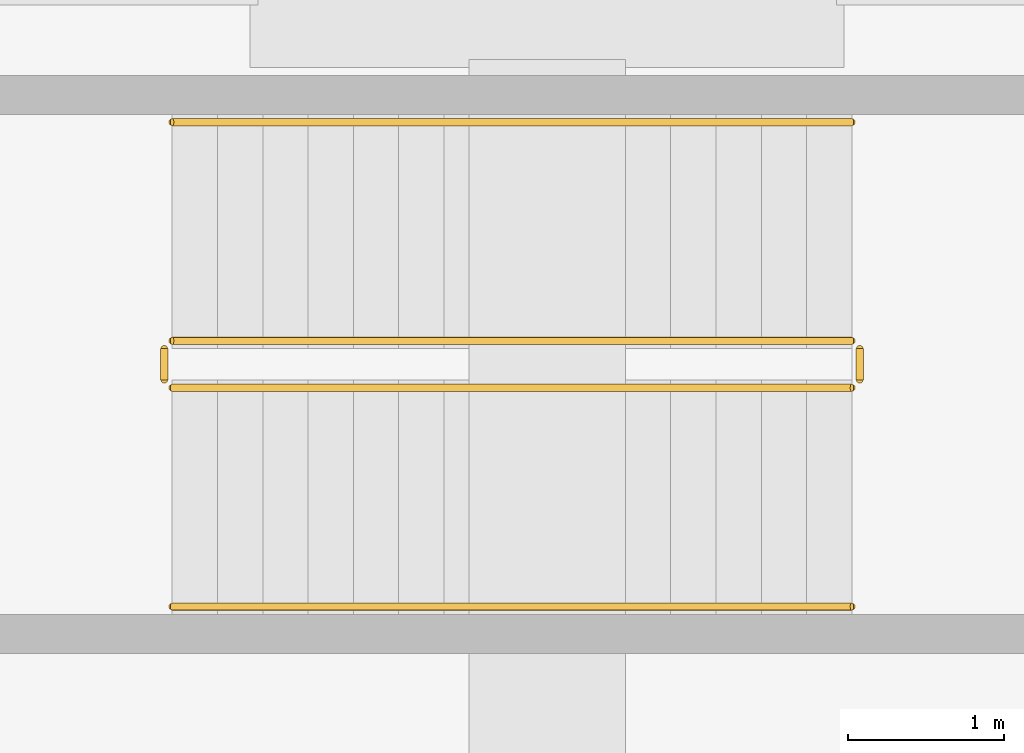
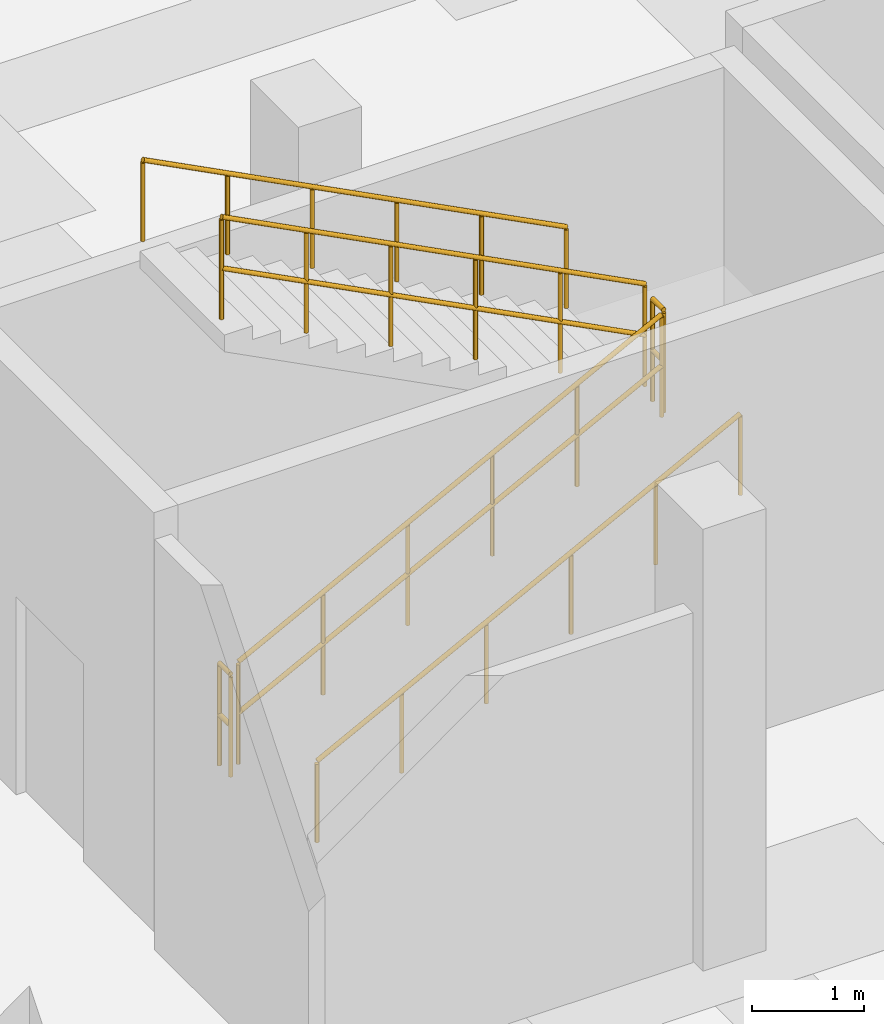
# One storey, part 44 of 48: 6 railings.
"""IFC4 building model written with IfcOpenShell, lengths in metres."""

from ifc_helpers import new_model, si_unit, direction, frame, origin, origin_2d, place, context, subcontext, project, spatial, circle, extrude, material, type_object, element, save


model = new_model("IFC4")

# Units and contexts
model_context = context("Model", 3, precision=1e-05, world=origin(), true_north=direction((0.0, 1.0)))
body_context = subcontext(model_context, "Body", "Model", "MODEL_VIEW")
ifc_project = project(units=[si_unit("LENGTHUNIT", "METRE"), si_unit("AREAUNIT", "SQUARE_METRE"), si_unit("VOLUMEUNIT", "CUBIC_METRE"), si_unit("PLANEANGLEUNIT", "RADIAN"), si_unit("MASSUNIT", "GRAM", prefix="KILO")], contexts=[model_context])

# Site, building, storey
site_placement = place(None, origin())
site = spatial("IfcSite", under=ifc_project, at=site_placement, CompositionType="ELEMENT")
building_placement = place(site_placement, origin())
building = spatial("IfcBuilding", under=site, at=building_placement, Name="Seraya Terrace Polytechnic", CompositionType="ELEMENT")
storey_placement = place(building_placement, origin())
storey = spatial("IfcBuildingStorey", under=building, at=storey_placement, Name="L00", CompositionType="ELEMENT", Elevation=0.0)

# Railings
ifc_material = material(Name="Steel S355J2", Category="steel")
railing_type_1 = type_object("IfcRailingType", Name="GR-02", PredefinedType="GUARDRAIL", material=ifc_material)
railing_1_placement = place(storey_placement, frame((120.0, 90.64990234375, 0.14990234375)))
element("IfcRailing", 1, at=railing_1_placement, inside=storey, type_object=railing_type_1, Name="L00 ST-08 stair guard 1", PredefinedType="GUARDRAIL", context=body_context, shape_type="SweptSolid", body=[
    extrude(circle(Radius=0.02392578125, at=origin_2d()), frame((0.0, 0.0, 1.10595703125), z_axis=(0.888221851817, 0.0, 0.459414782038), x_axis=(0.0, 1.0, 0.0)), (0.0, 0.0, 1.0), 4.8974609375),
    extrude(circle(Radius=0.02392578125, at=origin_2d()), frame((0.0, 0.0, 0.550048828125), z_axis=(0.888221851817, 0.0, 0.459414782038), x_axis=(0.0, 1.0, 0.0)), (0.0, 0.0, 1.0), 4.8974609375),
    extrude(circle(Radius=0.02099609375, at=origin_2d()), origin(), (0.0, 0.0, 1.0), 1.081787109375),
    extrude(circle(Radius=0.02099609375, at=origin_2d()), frame((0.8701171875, 0.0, 0.449951171875)), (0.0, 0.0, 1.0), 1.081787109375),
    extrude(circle(Radius=0.02099609375, at=origin_2d()), frame((1.739990234375, 0.0, 0.89990234375)), (0.0, 0.0, 1.0), 1.081787109375),
    extrude(circle(Radius=0.02099609375, at=origin_2d()), frame((2.610107421875, 0.0, 1.35009765625)), (0.0, 0.0, 1.0), 1.081787109375),
    extrude(circle(Radius=0.02099609375, at=origin_2d()), frame((3.47998046875, 0.0, 1.800048828125)), (0.0, 0.0, 1.0), 1.081787109375),
    extrude(circle(Radius=0.02099609375, at=origin_2d()), frame((4.35009765625, 0.0, 2.25)), (0.0, 0.0, 1.0), 1.081787109375),
])
railing_2_placement = place(storey_placement, frame((124.39990234375, 90.699951171875, 2.39990234375)))
element("IfcRailing", 2, at=railing_2_placement, inside=storey, type_object=railing_type_1, Name="L00 ST-08 stair guard 2", PredefinedType="GUARDRAIL", context=body_context, shape_type="SweptSolid", body=[
    extrude(circle(Radius=0.02392578125, at=origin_2d()), frame((0.0, 0.0, 1.10595703125), z_axis=(0.0, 1.0, 0.0), x_axis=(-1.0, 0.0, 0.0)), (0.0, 0.0, 1.0), 0.199951171875),
    extrude(circle(Radius=0.02392578125, at=origin_2d()), frame((0.0, 0.0, 0.550048828125), z_axis=(0.0, 1.0, 0.0), x_axis=(-1.0, 0.0, 0.0)), (0.0, 0.0, 1.0), 0.199951171875),
    extrude(circle(Radius=0.02099609375, at=origin_2d()), origin(), (0.0, 0.0, 1.0), 1.081787109375),
    extrude(circle(Radius=0.02099609375, at=origin_2d()), frame((0.0, 0.199951171875, 0.0)), (0.0, 0.0, 1.0), 1.081787109375),
])
railing_3_placement = place(storey_placement, frame((124.35009765625, 90.949951171875, 2.550048828125)))
element("IfcRailing", 3, at=railing_3_placement, inside=storey, type_object=railing_type_1, Name="L00 ST-08 stair guard 3", PredefinedType="GUARDRAIL", context=body_context, shape_type="SweptSolid", body=[
    extrude(circle(Radius=0.02392578125, at=origin_2d()), frame((0.0, 0.0, 1.10595703125), z_axis=(-0.888221851817, 0.0, 0.459414782038), x_axis=(0.0, -1.0, 0.0)), (0.0, 0.0, 1.0), 4.8974609375),
    extrude(circle(Radius=0.02392578125, at=origin_2d()), frame((0.0, 0.0, 0.550048828125), z_axis=(-0.888221851817, 0.0, 0.459414782038), x_axis=(0.0, -1.0, 0.0)), (0.0, 0.0, 1.0), 4.8974609375),
    extrude(circle(Radius=0.02099609375, at=origin_2d()), origin(), (0.0, 0.0, 1.0), 1.081787109375),
    extrude(circle(Radius=0.02099609375, at=origin_2d()), frame((-0.8701171875, 0.0, 0.449951171875)), (0.0, 0.0, 1.0), 1.081787109375),
    extrude(circle(Radius=0.02099609375, at=origin_2d()), frame((-1.739990234375, 0.0, 0.89990234375)), (0.0, 0.0, 1.0), 1.081787109375),
    extrude(circle(Radius=0.02099609375, at=origin_2d()), frame((-2.610107421875, 0.0, 1.35009765625)), (0.0, 0.0, 1.0), 1.081787109375),
    extrude(circle(Radius=0.02099609375, at=origin_2d()), frame((-3.47998046875, 0.0, 1.800048828125)), (0.0, 0.0, 1.0), 1.081787109375),
    extrude(circle(Radius=0.02099609375, at=origin_2d()), frame((-4.35009765625, 0.0, 2.25)), (0.0, 0.0, 1.0), 1.081787109375),
])
railing_4_placement = place(storey_placement, frame((119.949951171875, 90.699951171875, 0.0)))
element("IfcRailing", 4, at=railing_4_placement, inside=storey, type_object=railing_type_1, Name="L00 ST-08 stair guard 4", PredefinedType="GUARDRAIL", context=body_context, shape_type="SweptSolid", body=[
    extrude(circle(Radius=0.02392578125, at=origin_2d()), frame((0.0, 0.0, 1.10595703125), z_axis=(0.0, 1.0, 0.0), x_axis=(-1.0, 0.0, 0.0)), (0.0, 0.0, 1.0), 0.199951171875),
    extrude(circle(Radius=0.02392578125, at=origin_2d()), frame((0.0, 0.0, 0.550048828125), z_axis=(0.0, 1.0, 0.0), x_axis=(-1.0, 0.0, 0.0)), (0.0, 0.0, 1.0), 0.199951171875),
    extrude(circle(Radius=0.02099609375, at=origin_2d()), origin(), (0.0, 0.0, 1.0), 1.081787109375),
    extrude(circle(Radius=0.02099609375, at=origin_2d()), frame((0.0, 0.199951171875, 0.0)), (0.0, 0.0, 1.0), 1.081787109375),
])
railing_type_2 = type_object("IfcRailingType", Name="HR-01", PredefinedType="HANDRAIL", material=ifc_material)
railing_5_placement = place(storey_placement, frame((120.0, 89.25, 0.14990234375)))
element("IfcRailing", 5, at=railing_5_placement, inside=storey, type_object=railing_type_2, Name="L00 ST-08 stair handrail 1", PredefinedType="HANDRAIL", context=body_context, shape_type="SweptSolid", body=[
    extrude(circle(Radius=0.02392578125, at=origin_2d()), frame((0.0, 0.0, 0.8759765625), z_axis=(0.888221851817, 0.0, 0.459414782038), x_axis=(0.0, 1.0, 0.0)), (0.0, 0.0, 1.0), 4.8974609375),
    extrude(circle(Radius=0.02099609375, at=origin_2d()), origin(), (0.0, 0.0, 1.0), 0.851806640625),
    extrude(circle(Radius=0.02099609375, at=origin_2d()), frame((0.8701171875, 0.0, 0.449951171875)), (0.0, 0.0, 1.0), 0.851806640625),
    extrude(circle(Radius=0.02099609375, at=origin_2d()), frame((1.739990234375, 0.0, 0.89990234375)), (0.0, 0.0, 1.0), 0.851806640625),
    extrude(circle(Radius=0.02099609375, at=origin_2d()), frame((2.610107421875, 0.0, 1.35009765625)), (0.0, 0.0, 1.0), 0.851806640625),
    extrude(circle(Radius=0.02099609375, at=origin_2d()), frame((3.47998046875, 0.0, 1.800048828125)), (0.0, 0.0, 1.0), 0.851806640625),
    extrude(circle(Radius=0.02099609375, at=origin_2d()), frame((4.35009765625, 0.0, 2.25)), (0.0, 0.0, 1.0), 0.851806640625),
])
railing_6_placement = place(storey_placement, frame((124.35009765625, 92.35009765625, 2.550048828125)))
element("IfcRailing", 6, at=railing_6_placement, inside=storey, type_object=railing_type_2, Name="L00 ST-08 stair handrail 2", PredefinedType="HANDRAIL", context=body_context, shape_type="SweptSolid", body=[
    extrude(circle(Radius=0.02392578125, at=origin_2d()), frame((0.0, 0.0, 0.8759765625), z_axis=(-0.888221851817, 0.0, 0.459414782038), x_axis=(0.0, -1.0, 0.0)), (0.0, 0.0, 1.0), 4.8974609375),
    extrude(circle(Radius=0.02099609375, at=origin_2d()), origin(), (0.0, 0.0, 1.0), 0.851806640625),
    extrude(circle(Radius=0.02099609375, at=origin_2d()), frame((-0.8701171875, 0.0, 0.449951171875)), (0.0, 0.0, 1.0), 0.851806640625),
    extrude(circle(Radius=0.02099609375, at=origin_2d()), frame((-1.739990234375, 0.0, 0.89990234375)), (0.0, 0.0, 1.0), 0.851806640625),
    extrude(circle(Radius=0.02099609375, at=origin_2d()), frame((-2.610107421875, 0.0, 1.35009765625)), (0.0, 0.0, 1.0), 0.851806640625),
    extrude(circle(Radius=0.02099609375, at=origin_2d()), frame((-3.47998046875, 0.0, 1.800048828125)), (0.0, 0.0, 1.0), 0.851806640625),
    extrude(circle(Radius=0.02099609375, at=origin_2d()), frame((-4.35009765625, 0.0, 2.25)), (0.0, 0.0, 1.0), 0.851806640625),
])

save(model, "model.ifc")
